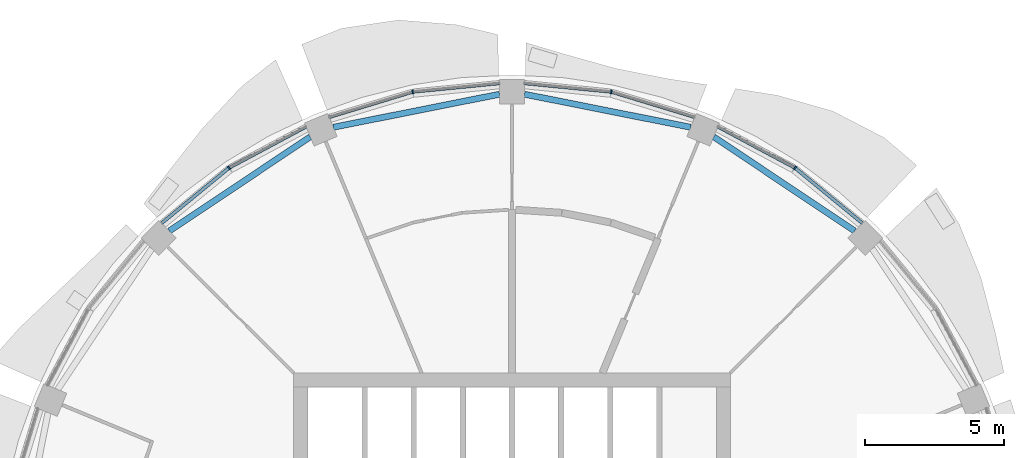
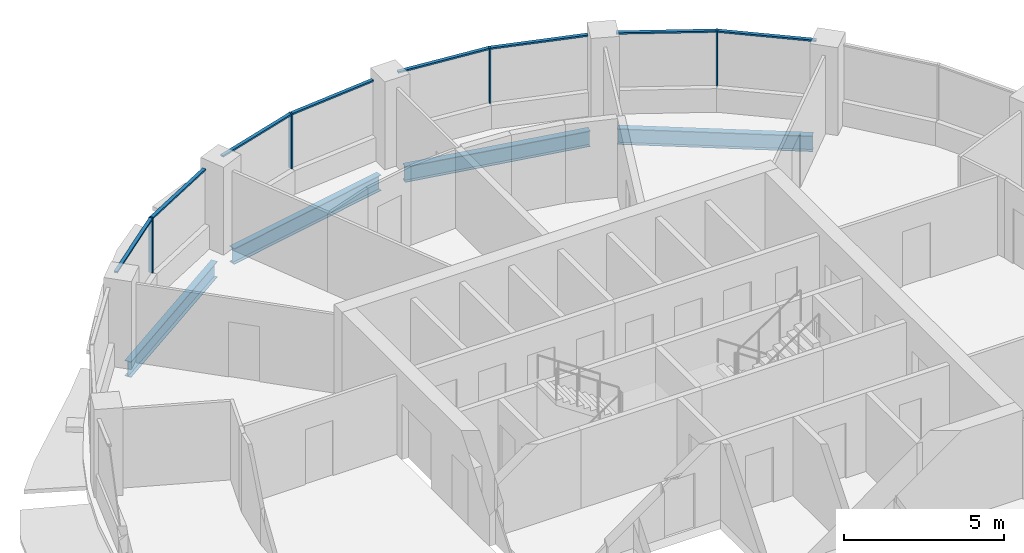
# One storey, part 6 of 15: 12 members, 4 beams, 4 elements without a shape of their own.
"""IFC4 building model written with IfcOpenShell, lengths in metres."""

from ifc_helpers import new_model, si_unit, direction, frame, origin, origin_2d, place, context, subcontext, project, spatial, rectangle, i_section, extrude, material, material_profile, profile_set, type_object, element, aggregate, save


model = new_model("IFC4")

# Units and contexts
model_context = context("Model", 3, precision=1e-05, world=origin(), true_north=direction((0.0, 1.0)))
body_context = subcontext(model_context, "Body", "Model", "MODEL_VIEW")
ifc_project = project(units=[si_unit("LENGTHUNIT", "METRE"), si_unit("AREAUNIT", "SQUARE_METRE"), si_unit("VOLUMEUNIT", "CUBIC_METRE"), si_unit("PLANEANGLEUNIT", "RADIAN"), si_unit("MASSUNIT", "GRAM", prefix="KILO")], contexts=[model_context])

# Site, building, storey
site_placement = place(None, origin())
site = spatial("IfcSite", under=ifc_project, at=site_placement, CompositionType="ELEMENT")
building_placement = place(site_placement, origin())
building = spatial("IfcBuilding", under=site, at=building_placement, Name="Polderwave Tower", CompositionType="ELEMENT")
storey_placement = place(building_placement, frame((0.0, 0.0, 177.60009765625)))
storey = spatial("IfcBuildingStorey", under=building, at=storey_placement, Name="L47", CompositionType="ELEMENT", Elevation=177.60009765625)

# Curtain wall, member
ifc_material_1 = material(Name="Aluminium 6063-T6 and glass", Category="aluminium")
curtain_wall_type = type_object("IfcCurtainWallType", Name="Office ribbon glazing wall", PredefinedType="NOTDEFINED", material=ifc_material_1)
curtain_wall_1_placement = place(storey_placement, origin())
curtain_wall_1 = element("IfcCurtainWall", 1, at=curtain_wall_1_placement, inside=storey, type_object=curtain_wall_type, Name="CW3 L47 02", PredefinedType="NOTDEFINED")
ifc_material_2 = material(Name="Aluminium 6063-T6", Category="aluminium")
ifc_material_profile_1 = material_profile(ifc_material_2, rectangle(XDim=0.139892578125, YDim=0.054931640625, at=origin_2d()), Name="AL 55x140")
ifc_profile_set_1 = profile_set([ifc_material_profile_1], Name="Aluminium 6063-T6")
member_type_1 = type_object("IfcMemberType", Name="Office ribbon glazing mullion 55x140", PredefinedType="MULLION", material=ifc_profile_set_1)
member_1_placement = place(storey_placement, frame((10.2060546875, 15.27392578125, 0.89990234375), z_axis=(0.0, 0.0, 1.0), x_axis=(-0.555695028949, -0.83138621278, 0.0)))
member_1 = element("IfcMember", 2, at=member_1_placement, type_object=member_type_1, Name="CW3 mullion 1", PredefinedType="MULLION", context=body_context, shape_type="SweptSolid", body=[
    extrude(rectangle(XDim=0.139892578125, YDim=0.054931640625, at=origin_2d()), origin(), (0.0, 0.0, 1.0), 2.10009765625),
])

curtain_wall_2_placement = place(storey_placement, origin())
curtain_wall_2 = element("IfcCurtainWall", 3, at=curtain_wall_2_placement, inside=storey, type_object=curtain_wall_type, Name="CW3 L47 03", PredefinedType="NOTDEFINED")
member_2_placement = place(storey_placement, frame((3.583984375, 18.01708984375, 0.89990234375), z_axis=(0.0, 0.0, 1.0), x_axis=(-0.195143387321, -0.980774723565, 0.0)))
member_2 = element("IfcMember", 4, at=member_2_placement, type_object=member_type_1, Name="CW3 mullion 1", PredefinedType="MULLION", context=body_context, shape_type="SweptSolid", body=[
    extrude(rectangle(XDim=0.139892578125, YDim=0.054931640625, at=origin_2d()), origin(), (0.0, 0.0, 1.0), 2.10009765625),
])

curtain_wall_3_placement = place(storey_placement, origin())
curtain_wall_3 = element("IfcCurtainWall", 5, at=curtain_wall_3_placement, inside=storey, type_object=curtain_wall_type, Name="CW3 L47 04", PredefinedType="NOTDEFINED")
member_3_placement = place(storey_placement, frame((-3.583984375, 18.01708984375, 0.89990234375), z_axis=(0.0, 0.0, 1.0), x_axis=(0.195143387321, -0.980774723565, 0.0)))
member_3 = element("IfcMember", 6, at=member_3_placement, type_object=member_type_1, Name="CW3 mullion 1", PredefinedType="MULLION", context=body_context, shape_type="SweptSolid", body=[
    extrude(rectangle(XDim=0.139892578125, YDim=0.054931640625, at=origin_2d()), origin(), (0.0, 0.0, 1.0), 2.10009765625),
])

curtain_wall_4_placement = place(storey_placement, origin())
curtain_wall_4 = element("IfcCurtainWall", 7, at=curtain_wall_4_placement, inside=storey, type_object=curtain_wall_type, Name="CW3 L47 05", PredefinedType="NOTDEFINED")
member_4_placement = place(storey_placement, frame((-10.2060546875, 15.27392578125, 0.89990234375), z_axis=(0.0, 0.0, 1.0), x_axis=(0.555695028949, -0.83138621278, 0.0)))
member_4 = element("IfcMember", 8, at=member_4_placement, type_object=member_type_1, Name="CW3 mullion 1", PredefinedType="MULLION", context=body_context, shape_type="SweptSolid", body=[
    extrude(rectangle(XDim=0.139892578125, YDim=0.054931640625, at=origin_2d()), origin(), (0.0, 0.0, 1.0), 2.10009765625),
])

# Member
ifc_material_profile_2 = material_profile(ifc_material_2, rectangle(XDim=0.1201171875, YDim=0.06005859375, at=origin_2d()), Name="AL 60x120")
ifc_profile_set_2 = profile_set([ifc_material_profile_2], Name="Aluminium 6063-T6")
member_type_2 = type_object("IfcMemberType", Name="Office ribbon glazing transom 60x120", PredefinedType="USERDEFINED", material=ifc_profile_set_2)
member_5_placement = place(storey_placement, frame((12.639892578125, 13.27587890625, 2.969970703125), z_axis=(-0.772893374383, 0.634535918475, 0.0), x_axis=(-0.634535918475, -0.772893374383, 0.0)))
member_5 = element("IfcMember", 9, at=member_5_placement, type_object=member_type_2, Name="CW3 transom 1", ObjectType="TRANSOM", PredefinedType="USERDEFINED", context=body_context, shape_type="SweptSolid", body=[
    extrude(rectangle(XDim=0.1201171875, YDim=0.06005859375, at=origin_2d()), origin(), (0.0, 0.0, 1.0), 3.12158203125),
])

member_6_placement = place(storey_placement, frame((10.181640625, 15.287109375, 2.969970703125), z_axis=(-0.881843639601, 0.471541933761, 0.0), x_axis=(-0.471541933761, -0.881843639601, 0.0)))
member_6 = element("IfcMember", 10, at=member_6_placement, type_object=member_type_2, Name="CW3 transom 2", ObjectType="TRANSOM", PredefinedType="USERDEFINED", context=body_context, shape_type="SweptSolid", body=[
    extrude(rectangle(XDim=0.1201171875, YDim=0.06005859375, at=origin_2d()), origin(), (0.0, 0.0, 1.0), 3.12158203125),
])

aggregate(curtain_wall_1, [member_1, member_5, member_6])

member_7_placement = place(storey_placement, frame((6.596923828125, 17.10302734375, 2.969970703125), z_axis=(-0.956936858445, 0.290296140087, 0.0), x_axis=(-0.290296140087, -0.956936858445, 0.0)))
member_7 = element("IfcMember", 11, at=member_7_placement, type_object=member_type_2, Name="CW3 transom 1", ObjectType="TRANSOM", PredefinedType="USERDEFINED", context=body_context, shape_type="SweptSolid", body=[
    extrude(rectangle(XDim=0.1201171875, YDim=0.06005859375, at=origin_2d()), origin(), (0.0, 0.0, 1.0), 3.120849609375),
])

member_8_placement = place(storey_placement, frame((3.556640625, 18.019775390625, 2.969970703125), z_axis=(-0.995179408841, 0.098071118168, 0.0), x_axis=(-0.098071118168, -0.995179408841, 0.0)))
member_8 = element("IfcMember", 12, at=member_8_placement, type_object=member_type_2, Name="CW3 transom 2", ObjectType="TRANSOM", PredefinedType="USERDEFINED", context=body_context, shape_type="SweptSolid", body=[
    extrude(rectangle(XDim=0.1201171875, YDim=0.06005859375, at=origin_2d()), origin(), (0.0, 0.0, 1.0), 3.121826171875),
])

aggregate(curtain_wall_2, [member_2, member_7, member_8])

member_9_placement = place(storey_placement, frame((-0.449951171875, 18.325927734375, 2.969970703125), z_axis=(-0.995179408841, -0.098071118168, 0.0), x_axis=(0.098071118168, -0.995179408841, 0.0)))
member_9 = element("IfcMember", 13, at=member_9_placement, type_object=member_type_2, Name="CW3 transom 1", ObjectType="TRANSOM", PredefinedType="USERDEFINED", context=body_context, shape_type="SweptSolid", body=[
    extrude(rectangle(XDim=0.1201171875, YDim=0.06005859375, at=origin_2d()), origin(), (0.0, 0.0, 1.0), 3.121826171875),
])

member_10_placement = place(storey_placement, frame((-3.6103515625, 18.009033203125, 2.969970703125), z_axis=(-0.956936858445, -0.290296140087, 0.0), x_axis=(0.290296140087, -0.956936858445, 0.0)))
member_10 = element("IfcMember", 14, at=member_10_placement, type_object=member_type_2, Name="CW3 transom 2", ObjectType="TRANSOM", PredefinedType="USERDEFINED", context=body_context, shape_type="SweptSolid", body=[
    extrude(rectangle(XDim=0.1201171875, YDim=0.06005859375, at=origin_2d()), origin(), (0.0, 0.0, 1.0), 3.120849609375),
])

aggregate(curtain_wall_3, [member_3, member_9, member_10])

member_11_placement = place(storey_placement, frame((-7.428955078125, 16.759033203125, 2.969970703125), z_axis=(-0.881843639601, -0.471541933761, 0.0), x_axis=(0.471541933761, -0.881843639601, 0.0)))
member_11 = element("IfcMember", 15, at=member_11_placement, type_object=member_type_2, Name="CW3 transom 1", ObjectType="TRANSOM", PredefinedType="USERDEFINED", context=body_context, shape_type="SweptSolid", body=[
    extrude(rectangle(XDim=0.1201171875, YDim=0.06005859375, at=origin_2d()), origin(), (0.0, 0.0, 1.0), 3.12158203125),
])

member_12_placement = place(storey_placement, frame((-10.227294921875, 15.256591796875, 2.969970703125), z_axis=(-0.772893374383, -0.634535918475, 0.0), x_axis=(0.634535918475, -0.772893374383, 0.0)))
member_12 = element("IfcMember", 16, at=member_12_placement, type_object=member_type_2, Name="CW3 transom 2", ObjectType="TRANSOM", PredefinedType="USERDEFINED", context=body_context, shape_type="SweptSolid", body=[
    extrude(rectangle(XDim=0.1201171875, YDim=0.06005859375, at=origin_2d()), origin(), (0.0, 0.0, 1.0), 3.12158203125),
])

aggregate(curtain_wall_4, [member_4, member_11, member_12])

# Beams
ifc_material_3 = material(Name="Steel S355", Category="steel")
ifc_material_profile_3 = material_profile(ifc_material_3, i_section(OverallWidth=0.219970703125, OverallDepth=0.60009765625, WebThickness=0.011962890625, FlangeThickness=0.01904296875, at=origin_2d()), Name="IPE 600")
ifc_profile_set_3 = profile_set([ifc_material_profile_3], Name="Steel S355")
beam_type = type_object("IfcBeamType", Name="RING BEAM IPE 600", PredefinedType="BEAM", material=ifc_profile_set_3)
for number, where, z_axis, x_axis, name in (
    (17, (12.360595703125, 12.9970703125, -0.650146484375), (-0.831490778911, 0.555538553645, 0.0), (-0.555538553645, -0.831490778911, 0.0), "ST-RB-L47-02"),
    (18, (6.446044921875, 16.73779296875, -0.650146484375), (-0.980787479014, 0.195079268525, 0.0), (-0.195079268525, -0.980787479014, 0.0), "ST-RB-L47-03"),
    (19, (-0.449951171875, 17.930419921875, -0.650146484375), (-0.980787479014, -0.195079268525, 0.0), (0.195079268525, -0.980787479014, 0.0), "ST-RB-L47-04"),
    (20, (-7.27734375, 16.393310546875, -0.650146484375), (-0.831490778911, -0.555538553645, 0.0), (0.555538553645, -0.831490778911, 0.0), "ST-RB-L47-05"),
):
    element("IfcBeam", number, at=place(storey_placement, frame(where, z_axis=z_axis, x_axis=x_axis)), inside=storey, type_object=beam_type, Name=name, PredefinedType="BEAM", context=body_context, shape_type="SweptSolid", body=[
        extrude(i_section(OverallWidth=0.219970703125, OverallDepth=0.60009765625, WebThickness=0.011962890625, FlangeThickness=0.01904296875, at=origin_2d()), origin(), (0.0, 0.0, 1.0), 6.113525390625),
    ])

save(model, "model.ifc")
